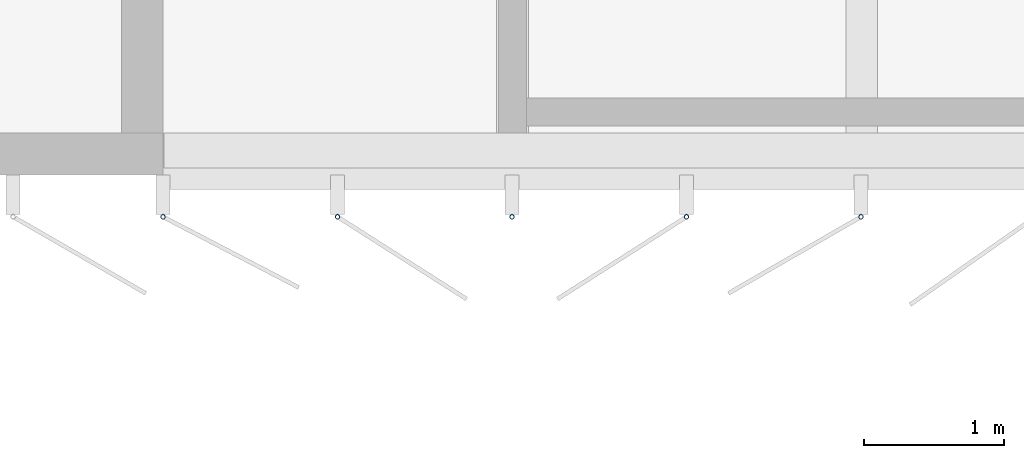
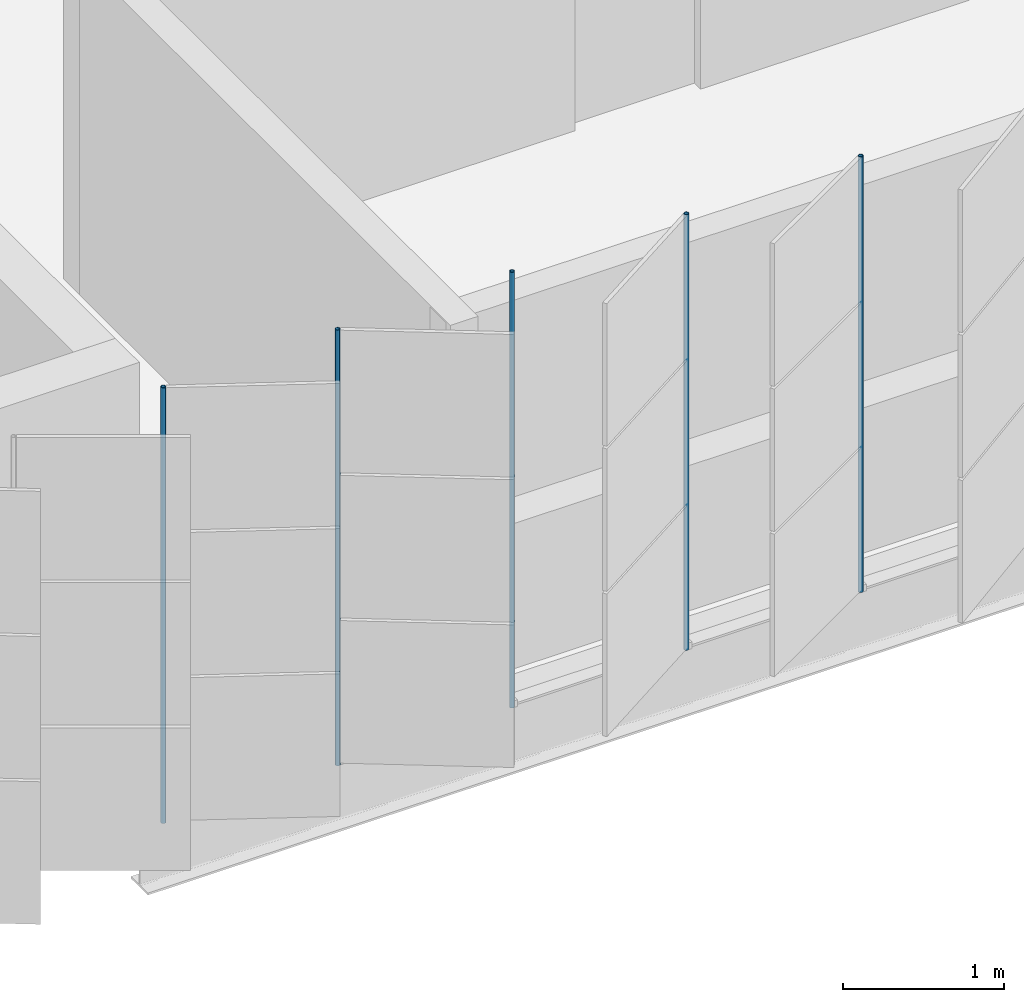
# One storey, part 119 of 214: 5 discrete accessories.
"""IFC4 building model written with IfcOpenShell, lengths in metres."""

from ifc_helpers import new_model, si_unit, direction, frame, origin, origin_2d, place, context, subcontext, project, spatial, hollow_circle, extrude, material, material_profile, profile_set, type_object, element, save


model = new_model("IFC4")

# Units and contexts
model_context = context("Model", 3, precision=1e-05, world=origin(), true_north=direction((0.0, 1.0)))
body_context = subcontext(model_context, "Body", "Model", "MODEL_VIEW")
ifc_project = project(units=[si_unit("LENGTHUNIT", "METRE"), si_unit("AREAUNIT", "SQUARE_METRE"), si_unit("VOLUMEUNIT", "CUBIC_METRE"), si_unit("PLANEANGLEUNIT", "RADIAN"), si_unit("MASSUNIT", "GRAM", prefix="KILO")], contexts=[model_context])

# Site, building, storey
site_placement = place(None, origin())
site = spatial("IfcSite", under=ifc_project, at=site_placement, CompositionType="ELEMENT")
building_placement = place(site_placement, origin())
building = spatial("IfcBuilding", under=site, at=building_placement, Name="Parallax Yard Mobility Hub", CompositionType="ELEMENT")
storey_placement = place(building_placement, frame((0.0, 0.0, 3.300048828125)))
storey = spatial("IfcBuildingStorey", under=building, at=storey_placement, Name="L01", CompositionType="ELEMENT", Elevation=3.300048828125)

# Discrete accessories
ifc_material = material(Name="Steel ASTM A500 Gr C, hot-dip galvanised", Category="steel")
ifc_material_profile = material_profile(ifc_material, hollow_circle(Radius=0.016845703125, WallThickness=0.003173828125, at=origin_2d()), Name="CHS 33.7x3.2")
ifc_profile_set = profile_set([ifc_material_profile], Name="Steel ASTM A500 Gr C, hot-dip galvanised")
discrete_accessory_type = type_object("IfcDiscreteAccessoryType", Name="Hinge post CHS 33.7x3.2", PredefinedType="BRACKET", material=ifc_profile_set)
for number, where, z_axis, x_axis, name in (
    (1, (142.498046875, 112.199951171875, 0.0), (0.0, 0.0, 1.0), (1.0, 0.0, 0.0), "Hinge post bay 14.1 level L01"),
    (2, (143.747314453125, 112.199951171875, 0.0), (0.0, 0.0, 1.0), (1.0, 0.0, 0.0), "Hinge post bay 14.2 level L01"),
    (3, (144.99658203125, 112.199951171875, 0.0), (0.0, 0.0, 1.0), (1.0, 0.0, 0.0), "Hinge post bay 14.3 level L01"),
    (4, (146.245849609375, 112.199951171875, 0.0), (0.0, 0.0, 1.0), (1.0, 0.0, 0.0), "Hinge post bay 14.4 level L01"),
    (5, (147.4951171875, 112.199951171875, 0.0), (0.0, 0.0, 1.0), (1.0, 0.0, 0.0), "Hinge post bay 14.5 level L01"),
):
    element("IfcDiscreteAccessory", number, at=place(storey_placement, frame(where, z_axis=z_axis, x_axis=x_axis)), inside=storey, type_object=discrete_accessory_type, Name=name, PredefinedType="BRACKET", context=body_context, shape_type="SweptSolid", body=[
        extrude(hollow_circle(Radius=0.016845703125, WallThickness=0.003173828125, at=origin_2d()), origin(), (0.0, 0.0, 1.0), 3.300048828125),
    ])

save(model, "model.ifc")
